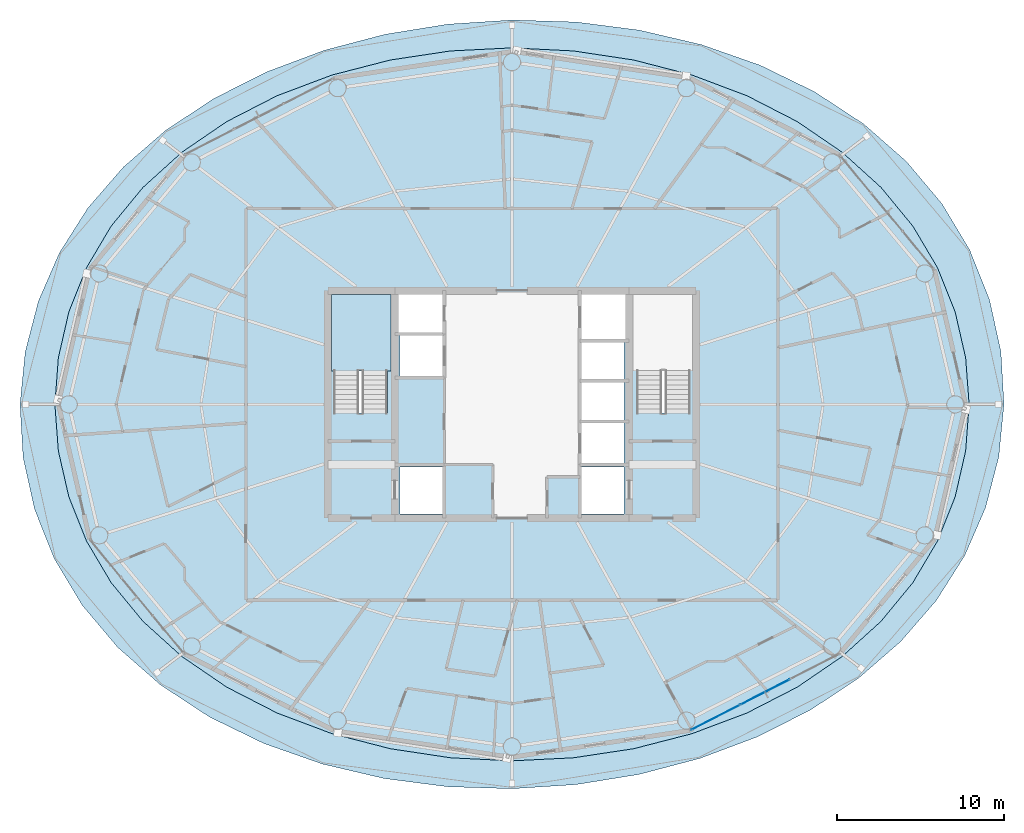
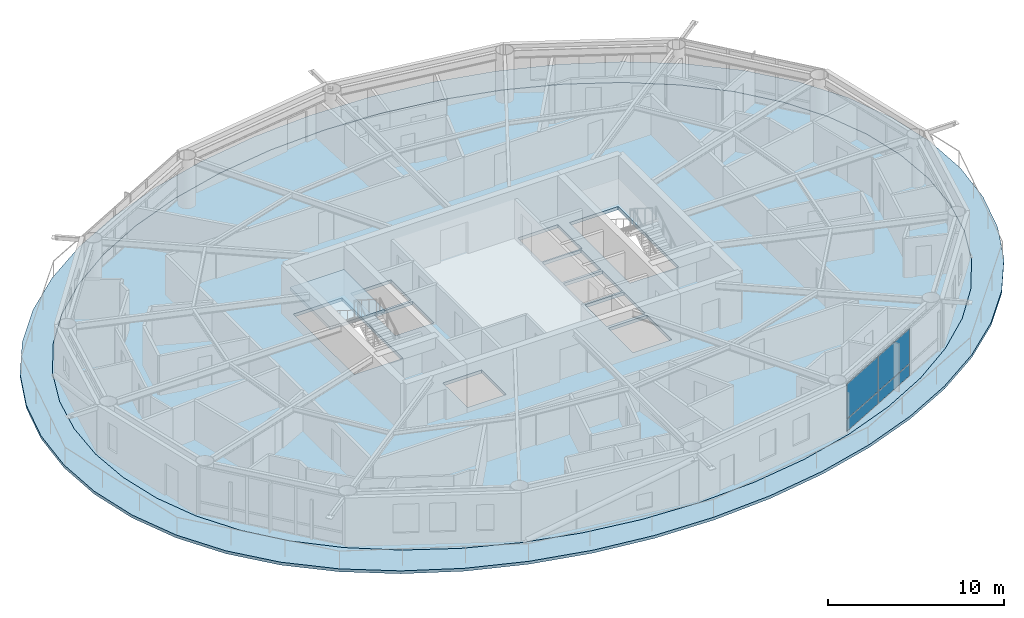
# One storey, part 18 of 30: 4 plates, 3 slabs, 2 elements without a shape of their own.
"""IFC4 building model written with IfcOpenShell, lengths in metres."""

from ifc_helpers import new_model, si_unit, direction, frame, origin, origin_2d, place, context, subcontext, project, spatial, polyline, rectangle, outline, extrude, material, layer, layer_set, type_object, element, aggregate, save


model = new_model("IFC4")

# Units and contexts
model_context = context("Model", 3, precision=1e-05, world=origin(), true_north=direction((0.0, 1.0)))
body_context = subcontext(model_context, "Body", "Model", "MODEL_VIEW")
ifc_project = project(units=[si_unit("LENGTHUNIT", "METRE"), si_unit("AREAUNIT", "SQUARE_METRE"), si_unit("VOLUMEUNIT", "CUBIC_METRE"), si_unit("PLANEANGLEUNIT", "RADIAN"), si_unit("MASSUNIT", "GRAM", prefix="KILO")], contexts=[model_context])

# Site, building, storey
site_placement = place(None, origin())
site = spatial("IfcSite", under=ifc_project, at=site_placement, CompositionType="ELEMENT")
building_placement = place(site_placement, origin())
building = spatial("IfcBuilding", under=site, at=building_placement, Name="Sarneth Arch Tower", CompositionType="ELEMENT")
storey_placement = place(building_placement, frame((0.0, 0.0, 161.39990234375)))
storey = spatial("IfcBuildingStorey", under=building, at=storey_placement, Name="L40", CompositionType="ELEMENT", Elevation=161.39990234375)

# Curtain wall, plates
ifc_material_1 = material(Name="Anodised aluminium Type AA25 and solar-control low-e laminated IGU", Category="aluminium")
ifc_layer_1 = layer(ifc_material_1, 0.169921875)
ifc_layer_set_1 = layer_set([ifc_layer_1], Name="Anodised aluminium Type AA25 and solar-control low-e laminated IGU")
curtain_wall_type = type_object("IfcCurtainWallType", Name="CW-RES-MID", PredefinedType="NOTDEFINED", material=ifc_layer_set_1)
curtain_wall_placement = place(storey_placement, origin())
curtain_wall = element("IfcCurtainWall", 1, at=curtain_wall_placement, inside=storey, type_object=curtain_wall_type, Name="L40 Unitised curtain wall facet 14", PredefinedType="NOTDEFINED")
ifc_material_2 = material(Name="Solar-control low-e laminated IGU", Category="glass")
ifc_layer_2 = layer(ifc_material_2, 0.028076171875)
ifc_layer_set_2 = layer_set([ifc_layer_2], Name="Solar-control low-e laminated IGU")
plate_type = type_object("IfcPlateType", Name="CW-PANEL", PredefinedType="CURTAIN_PANEL", material=ifc_layer_set_2)
plate_1_placement = place(storey_placement, frame((60.16162109375, 23.29296875, 0.06005859375), z_axis=(0.0, 0.0, 1.0), x_axis=(0.88987293003, 0.456208470329, 0.0)))
plate_1 = element("IfcPlate", 2, at=plate_1_placement, type_object=plate_type, Name="Curtain wall glazed vision pane CW-L40-F14/P00-00", PredefinedType="CURTAIN_PANEL", context=body_context, shape_type="SweptSolid", body=[
    extrude(rectangle(XDim=3.248779296875, YDim=0.028076171875, at=origin_2d()), origin(), (0.0, 0.0, 1.0), 0.81005859375),
])
plate_2_placement = place(storey_placement, frame((60.16162109375, 23.29296875, 0.93017578125), z_axis=(0.0, 0.0, 1.0), x_axis=(0.88987293003, 0.456208470329, 0.0)))
plate_2 = element("IfcPlate", 3, at=plate_2_placement, type_object=plate_type, Name="Curtain wall glazed vision pane CW-L40-F14/P00-01", PredefinedType="CURTAIN_PANEL", context=body_context, shape_type="SweptSolid", body=[
    extrude(rectangle(XDim=3.248779296875, YDim=0.028076171875, at=origin_2d()), origin(), (0.0, 0.0, 1.0), 2.389892578125),
])
plate_3_placement = place(storey_placement, frame((63.119384765625, 24.809326171875, 0.06005859375), z_axis=(0.0, 0.0, 1.0), x_axis=(0.88987293003, 0.456208470329, 0.0)))
plate_3 = element("IfcPlate", 4, at=plate_3_placement, type_object=plate_type, Name="Curtain wall glazed vision pane CW-L40-F14/P01-00", PredefinedType="CURTAIN_PANEL", context=body_context, shape_type="SweptSolid", body=[
    extrude(rectangle(XDim=3.27880859375, YDim=0.028076171875, at=origin_2d()), origin(), (0.0, 0.0, 1.0), 0.81005859375),
])
plate_4_placement = place(storey_placement, frame((63.119384765625, 24.809326171875, 0.93017578125), z_axis=(0.0, 0.0, 1.0), x_axis=(0.88987293003, 0.456208470329, 0.0)))
plate_4 = element("IfcPlate", 5, at=plate_4_placement, type_object=plate_type, Name="Curtain wall glazed vision pane CW-L40-F14/P01-01", PredefinedType="CURTAIN_PANEL", context=body_context, shape_type="SweptSolid", body=[
    extrude(rectangle(XDim=3.27880859375, YDim=0.028076171875, at=origin_2d()), origin(), (0.0, 0.0, 1.0), 2.389892578125),
])
aggregate(curtain_wall, [plate_1, plate_2, plate_3, plate_4])

# Slab
ifc_material_3 = material(Name="Concrete C50/60", Category="concrete")
ifc_layer_3 = layer(ifc_material_3, 0.199951171875)
ifc_layer_set_3 = layer_set([ifc_layer_3], Name="Concrete C50/60")
slab_type_1 = type_object("IfcSlabType", Name="SLAB-BALC-200", PredefinedType="FLOOR", material=ifc_layer_set_3)
slab_1_placement = place(storey_placement, frame((0.0, 0.0, -0.199951171875)))
element("IfcSlab", 6, at=slab_1_placement, inside=storey, type_object=slab_type_1, Name="L40 Helical balcony band slab", PredefinedType="FLOOR", context=body_context, shape_type="SweptSolid", body=[
    extrude(outline(polyline([(77.397216796875, 42.0), (77.2138671875, 45.156494140625), (76.531005859375, 48.255615234375), (75.3515625, 51.222412109375), (73.68798828125, 53.993408203125), (71.56201171875, 56.5185546875), (69.0078125, 58.75830078125), (66.073974609375, 60.68212890625), (62.820556640625, 62.266357421875), (59.31689453125, 63.49462890625), (55.6337890625, 64.3564453125), (51.84033203125, 64.846923828125), (48.0, 64.966064453125), (44.172607421875, 64.718505859375), (40.415771484375, 64.1123046875), (36.78857421875, 63.15869140625), (33.35205078125, 61.871337890625), (30.167236328125, 60.265869140625), (27.29150390625, 58.360595703125), (24.774169921875, 56.174560546875), (22.653076171875, 53.7294921875), (20.955810546875, 51.05078125), (19.703125, 48.1708984375), (18.9130859375, 45.1337890625), (18.602783203125, 42.0), (18.7861328125, 38.843505859375), (19.468994140625, 35.744384765625), (20.6484375, 32.777587890625), (22.31201171875, 30.006591796875), (24.43798828125, 27.4814453125), (26.9921875, 25.24169921875), (29.926025390625, 23.31787109375), (33.179443359375, 21.733642578125), (36.68310546875, 20.50537109375), (40.3662109375, 19.6435546875), (44.15966796875, 19.153076171875), (48.0, 19.033935546875), (51.827392578125, 19.281494140625), (55.584228515625, 19.8876953125), (59.21142578125, 20.84130859375), (62.64794921875, 22.128662109375), (65.832763671875, 23.734130859375), (68.70849609375, 25.639404296875), (71.225830078125, 27.825439453125), (73.346923828125, 30.2705078125), (75.044189453125, 32.94921875), (76.296875, 35.8291015625), (77.0869140625, 38.8662109375), (77.397216796875, 42.0)]), holes=[polyline([(75.313232421875, 42.0), (75.10595703125, 44.7802734375), (74.48095703125, 47.512939453125), (73.431396484375, 50.151123046875), (71.9521484375, 52.64990234375), (70.0458984375, 54.966552734375), (67.730712890625, 57.061279296875), (65.04052734375, 58.8984375), (62.025390625, 60.4462890625), (58.7470703125, 61.6787109375), (55.27197265625, 62.57421875), (51.667724609375, 63.11767578125), (48.0, 63.300048828125), (44.332275390625, 63.11767578125), (40.72802734375, 62.57421875), (37.2529296875, 61.6787109375), (33.974609375, 60.4462890625), (30.95947265625, 58.8984375), (28.269287109375, 57.061279296875), (25.9541015625, 54.966552734375), (24.0478515625, 52.64990234375), (22.568603515625, 50.151123046875), (21.51904296875, 47.512939453125), (20.89404296875, 44.7802734375), (20.686767578125, 42.0), (20.89404296875, 39.2197265625), (21.51904296875, 36.487060546875), (22.568603515625, 33.848876953125), (24.0478515625, 31.35009765625), (25.9541015625, 29.033447265625), (28.269287109375, 26.938720703125), (30.95947265625, 25.1015625), (33.974609375, 23.5537109375), (37.2529296875, 22.3212890625), (40.72802734375, 21.42578125), (44.332275390625, 20.88232421875), (48.0, 20.699951171875), (51.667724609375, 20.88232421875), (55.27197265625, 21.42578125), (58.7470703125, 22.3212890625), (62.025390625, 23.5537109375), (65.04052734375, 25.1015625), (67.730712890625, 26.938720703125), (70.0458984375, 29.033447265625), (71.9521484375, 31.35009765625), (73.431396484375, 33.848876953125), (74.48095703125, 36.487060546875), (75.10595703125, 39.2197265625), (75.313232421875, 42.0)])]), origin(), (0.0, 0.0, 1.0), 0.199951171875),
])

# Stair, slab
ifc_material_4 = material(Name="Concrete C50/60", Category="concrete")
stair_type = type_object("IfcStairType", Name="STAIR-CORE-RC", PredefinedType="HALF_TURN_STAIR", material=ifc_material_4)
stair_placement = place(storey_placement, origin())
stair = element("IfcStair", 7, at=stair_placement, inside=storey, type_object=stair_type, Name="L40 Core Exit Stair 1", PredefinedType="HALF_TURN_STAIR")
ifc_material_5 = material(Name="Concrete C50/60", Category="concrete")
ifc_layer_4 = layer(ifc_material_5, 0.199951171875)
ifc_layer_set_4 = layer_set([ifc_layer_4], Name="Concrete C50/60")
slab_type_2 = type_object("IfcSlabType", Name="SLAB-LANDING-200", PredefinedType="LANDING", material=ifc_layer_set_4)
slab_2_placement = place(storey_placement, frame((0.0, 0.0, 1.60009765625)))
slab_2 = element("IfcSlab", 8, at=slab_2_placement, type_object=slab_type_2, Name="ST-1 landing 1", PredefinedType="LANDING", context=body_context, shape_type="SweptSolid", body=[
    extrude(outline(polyline([(37.22509765625, 43.985107421875), (40.77490234375, 43.985107421875), (40.77490234375, 48.574951171875), (37.22509765625, 48.574951171875), (37.22509765625, 43.985107421875)])), origin(), (0.0, 0.0, 1.0), 0.199951171875),
])
aggregate(stair, [slab_2])

# Slab
ifc_material_6 = material(Name="Concrete C50/60", Category="concrete")
ifc_layer_5 = layer(ifc_material_6, 0.219970703125)
ifc_layer_set_5 = layer_set([ifc_layer_5], Name="Concrete C50/60")
slab_type_3 = type_object("IfcSlabType", Name="SLAB-TOWER-220", PredefinedType="FLOOR", material=ifc_layer_set_5)
slab_3_placement = place(storey_placement, frame((0.0, 0.0, -0.219970703125)))
element("IfcSlab", 9, at=slab_3_placement, inside=storey, type_object=slab_type_3, Name="L40 Elliptical floor slab", PredefinedType="FLOOR", context=body_context, shape_type="SweptSolid", body=[
    extrude(outline(polyline([(75.313232421875, 42.0), (75.10595703125, 44.7802734375), (74.48095703125, 47.512939453125), (73.431396484375, 50.151123046875), (71.9521484375, 52.64990234375), (70.0458984375, 54.966552734375), (67.730712890625, 57.061279296875), (65.04052734375, 58.8984375), (62.025390625, 60.4462890625), (58.7470703125, 61.6787109375), (55.27197265625, 62.57421875), (51.667724609375, 63.11767578125), (48.0, 63.300048828125), (44.332275390625, 63.11767578125), (40.72802734375, 62.57421875), (37.2529296875, 61.6787109375), (33.974609375, 60.4462890625), (30.95947265625, 58.8984375), (28.269287109375, 57.061279296875), (25.9541015625, 54.966552734375), (24.0478515625, 52.64990234375), (22.568603515625, 50.151123046875), (21.51904296875, 47.512939453125), (20.89404296875, 44.7802734375), (20.686767578125, 42.0), (20.89404296875, 39.2197265625), (21.51904296875, 36.487060546875), (22.568603515625, 33.848876953125), (24.0478515625, 31.35009765625), (25.9541015625, 29.033447265625), (28.269287109375, 26.938720703125), (30.95947265625, 25.1015625), (33.974609375, 23.5537109375), (37.2529296875, 22.3212890625), (40.72802734375, 21.42578125), (44.332275390625, 20.88232421875), (48.0, 20.699951171875), (51.667724609375, 20.88232421875), (55.27197265625, 21.42578125), (58.7470703125, 22.3212890625), (62.025390625, 23.5537109375), (65.04052734375, 25.1015625), (67.730712890625, 26.938720703125), (70.0458984375, 29.033447265625), (71.9521484375, 31.35009765625), (73.431396484375, 33.848876953125), (74.48095703125, 36.487060546875), (75.10595703125, 39.2197265625), (75.313232421875, 42.0)]), holes=[polyline([(37.35009765625, 41.489990234375), (40.550048828125, 41.489990234375), (40.550048828125, 48.39990234375), (37.35009765625, 48.39990234375), (37.35009765625, 41.489990234375)]), polyline([(55.449951171875, 41.489990234375), (58.64990234375, 41.489990234375), (58.64990234375, 48.39990234375), (55.449951171875, 48.39990234375), (55.449951171875, 41.489990234375)]), polyline([(41.199951171875, 46.25), (43.85009765625, 46.25), (43.85009765625, 48.550048828125), (41.199951171875, 48.550048828125), (41.199951171875, 46.25)]), polyline([(41.300048828125, 35.449951171875), (43.85009765625, 35.449951171875), (43.85009765625, 38.25), (41.300048828125, 38.25), (41.300048828125, 35.449951171875)]), polyline([(52.14990234375, 35.449951171875), (54.699951171875, 35.449951171875), (54.699951171875, 38.25), (52.14990234375, 38.25), (52.14990234375, 35.449951171875)]), polyline([(52.14990234375, 45.85009765625), (54.800048828125, 45.85009765625), (54.800048828125, 48.550048828125), (52.14990234375, 48.550048828125), (52.14990234375, 45.85009765625)]), polyline([(41.300048828125, 43.64990234375), (43.85009765625, 43.64990234375), (43.85009765625, 46.10009765625), (41.300048828125, 46.10009765625), (41.300048828125, 43.64990234375)]), polyline([(52.14990234375, 38.449951171875), (54.699951171875, 38.449951171875), (54.699951171875, 40.89990234375), (52.14990234375, 40.89990234375), (52.14990234375, 38.449951171875)]), polyline([(52.14990234375, 41.050048828125), (54.699951171875, 41.050048828125), (54.699951171875, 43.35009765625), (52.14990234375, 43.35009765625), (52.14990234375, 41.050048828125)]), polyline([(52.14990234375, 43.5), (54.699951171875, 43.5), (54.699951171875, 45.75), (52.14990234375, 45.75), (52.14990234375, 43.5)])]), origin(), (0.0, 0.0, 1.0), 0.219970703125),
])

save(model, "model.ifc")
